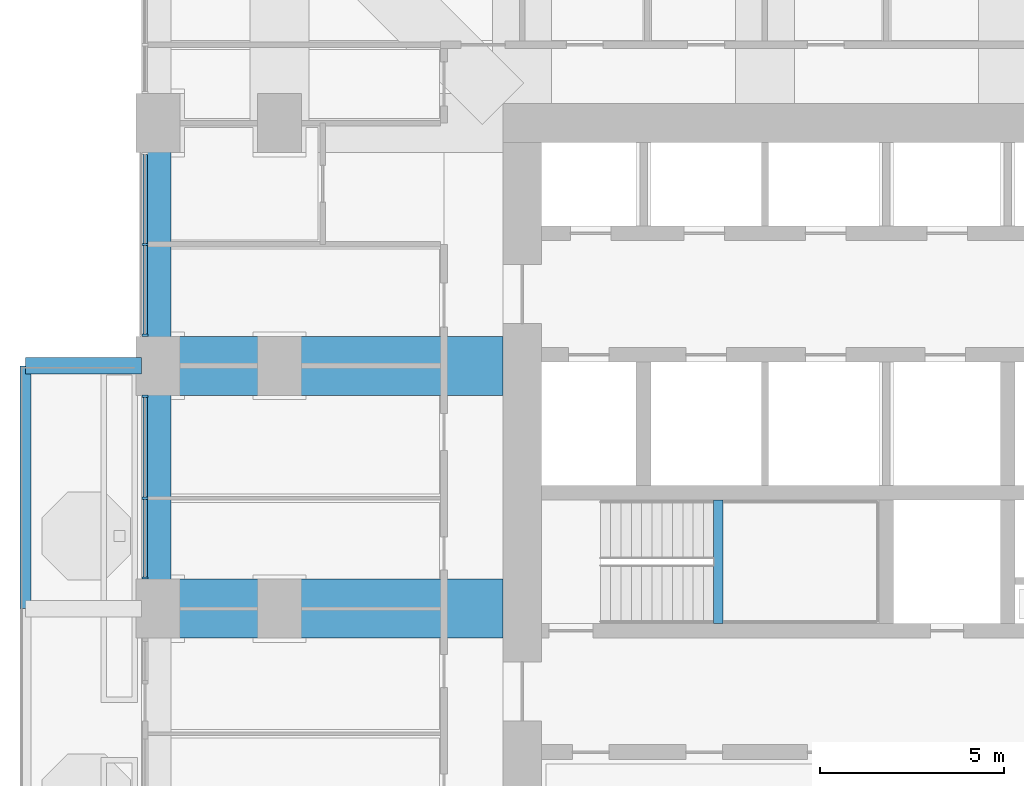
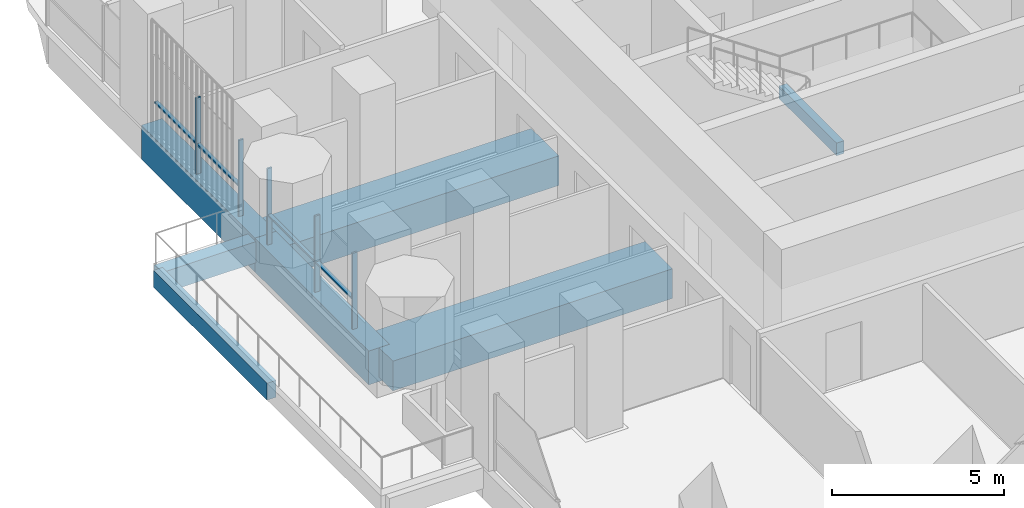
# One storey, part 4 of 20: 9 members, 7 beams, 2 elements without a shape of their own.
"""IFC4 building model written with IfcOpenShell, lengths in metres."""

from ifc_helpers import new_model, si_unit, direction, frame, origin, origin_2d, place, context, subcontext, project, spatial, rectangle, extrude, material, material_profile, profile_set, type_object, element, aggregate, save


model = new_model("IFC4")

# Units and contexts
model_context = context("Model", 3, precision=1e-05, world=origin(), true_north=direction((0.0, 1.0)))
body_context = subcontext(model_context, "Body", "Model", "MODEL_VIEW")
ifc_project = project(units=[si_unit("LENGTHUNIT", "METRE"), si_unit("AREAUNIT", "SQUARE_METRE"), si_unit("VOLUMEUNIT", "CUBIC_METRE"), si_unit("PLANEANGLEUNIT", "RADIAN"), si_unit("MASSUNIT", "GRAM", prefix="KILO")], contexts=[model_context])

# Site, building, storey
site_placement = place(None, origin())
site = spatial("IfcSite", under=ifc_project, at=site_placement, CompositionType="ELEMENT")
building_placement = place(site_placement, origin())
building = spatial("IfcBuilding", under=site, at=building_placement, Name="Cobogo Forest Laboratory Tower", CompositionType="ELEMENT")
storey_placement = place(building_placement, frame((0.0, 0.0, 201.89990234375)))
storey = spatial("IfcBuildingStorey", under=building, at=storey_placement, Name="L46", CompositionType="ELEMENT", Elevation=201.89990234375)

# Beams
ifc_material_1 = material(Name="Concrete HA-40 (C40/50)", Category="concrete")
ifc_material_profile_1 = material_profile(ifc_material_1, rectangle(XDim=0.449951171875, YDim=0.75, at=origin_2d()), Name="RC 450x750")
ifc_profile_set_1 = profile_set([ifc_material_profile_1], Name="Concrete HA-40 (C40/50)")
beam_type_1 = type_object("IfcBeamType", Name="Balcony cantilever beam 450x750", PredefinedType="BEAM", material=ifc_profile_set_1)
beam_1_placement = place(storey_placement, frame((2.85009765625, 26.39990234375, -0.625), z_axis=(-1.0, 0.0, 0.0), x_axis=(0.0, -1.0, 0.0)))
element("IfcBeam", 1, at=beam_1_placement, inside=storey, type_object=beam_type_1, Name="CB1 BAL-W1-C3 L46", PredefinedType="BEAM", context=body_context, shape_type="SweptSolid", body=[
    extrude(rectangle(XDim=0.449951171875, YDim=0.75, at=origin_2d()), origin(), (0.0, 0.0, 1.0), 3.150146484375),
])
ifc_material_profile_2 = material_profile(ifc_material_1, rectangle(XDim=0.300048828125, YDim=0.60009765625, at=origin_2d()), Name="RC 300x600")
ifc_profile_set_2 = profile_set([ifc_material_profile_2], Name="Concrete HA-40 (C40/50)")
beam_type_2 = type_object("IfcBeamType", Name="Balcony edge beam 300x600", PredefinedType="BEAM", material=ifc_profile_set_2)
beam_2_placement = place(storey_placement, frame((-0.300048828125, 19.800048828125, -0.5498046875), z_axis=(0.0, 1.0, 0.0), x_axis=(-1.0, 0.0, 0.0)))
element("IfcBeam", 2, at=beam_2_placement, inside=storey, type_object=beam_type_2, Name="BB1 BAL-W1-T2 L46", PredefinedType="BEAM", context=body_context, shape_type="SweptSolid", body=[
    extrude(rectangle(XDim=0.300048828125, YDim=0.60009765625, at=origin_2d()), origin(), (0.0, 0.0, 1.0), 6.599853515625),
])
ifc_material_profile_3 = material_profile(ifc_material_1, rectangle(XDim=0.25, YDim=0.449951171875, at=origin_2d()), Name="RC 250x450")
ifc_profile_set_3 = profile_set([ifc_material_profile_3], Name="Concrete HA-40 (C40/50)")
beam_type_3 = type_object("IfcBeamType", Name="LB1 landing beam 250x450", PredefinedType="BEAM", material=ifc_profile_set_3)
beam_3_placement = place(storey_placement, frame((18.530029296875, 19.39990234375, 1.675048828125), z_axis=(0.0, 1.0, 0.0), x_axis=(-1.0, 0.0, 0.0)))
element("IfcBeam", 3, at=beam_3_placement, inside=storey, type_object=beam_type_3, Name="Landing beam ST1 L46", PredefinedType="BEAM", context=body_context, shape_type="SweptSolid", body=[
    extrude(rectangle(XDim=0.25, YDim=0.449951171875, at=origin_2d()), origin(), (0.0, 0.0, 1.0), 3.35009765625),
])
ifc_material_2 = material(Name="Concrete HA-50 (C50/60)", Category="concrete")
ifc_material_profile_4 = material_profile(ifc_material_2, rectangle(XDim=1.60009765625, YDim=1.050048828125, at=origin_2d()), Name="RC 1600x1050")
ifc_profile_set_4 = profile_set([ifc_material_profile_4], Name="Concrete HA-50 (C50/60)")
beam_type_4 = type_object("IfcBeamType", Name="Laboratory floor wide beam 1600x1050", PredefinedType="BEAM", material=ifc_profile_set_4)
for number, where, z_axis, x_axis, name in (
    (4, (12.675048828125, 19.800048828125, -0.824951171875), (-1.0, 0.0, 0.0), (0.0, -1.0, 0.0), "RB8 R-D-W L46"),
    (5, (12.675048828125, 26.39990234375, -0.824951171875), (-1.0, 0.0, 0.0), (0.0, -1.0, 0.0), "RB8 R-E-W L46"),
):
    element("IfcBeam", number, at=place(storey_placement, frame(where, z_axis=z_axis, x_axis=x_axis)), inside=storey, type_object=beam_type_4, Name=name, PredefinedType="BEAM", context=body_context, shape_type="SweptSolid", body=[
        extrude(rectangle(XDim=1.60009765625, YDim=1.050048828125, at=origin_2d()), origin(), (0.0, 0.0, 1.0), 9.375),
    ])

# Curtain wall, members
ifc_material_3 = material(Name="Aluminium curtain wall", Category="aluminium")
curtain_wall_type = type_object("IfcCurtainWallType", Name="CW-2 unitised curtain wall, solar control glazing, laboratory floors zones C and D", PredefinedType="USERDEFINED", material=ifc_material_3)
curtain_wall_1_placement = place(storey_placement, origin())
curtain_wall_1 = element("IfcCurtainWall", 6, at=curtain_wall_1_placement, inside=storey, type_object=curtain_wall_type, Name="Curtain wall 25 L46", ObjectType="UNITISED CURTAIN WALL", PredefinedType="USERDEFINED")
ifc_material_4 = material(Name="Aluminium mullion", Category="aluminium")
ifc_material_profile_5 = material_profile(ifc_material_4, rectangle(XDim=0.06005859375, YDim=0.159912109375, at=origin_2d()), Name="AL 60x160")
ifc_profile_set_5 = profile_set([ifc_material_profile_5], Name="Aluminium mullion")
member_type_1 = type_object("IfcMemberType", Name="MU-1 aluminium mullion 60x160", PredefinedType="MULLION", material=ifc_profile_set_5)
member_1_placement = place(storey_placement, frame((2.949951171875, 29.699951171875, 0.0), z_axis=(0.0, 0.0, 1.0), x_axis=(0.0, -1.0, 0.0)))
member_1 = element("IfcMember", 7, at=member_1_placement, type_object=member_type_1, Name="CW-2 mullion 2", PredefinedType="MULLION", context=body_context, shape_type="SweptSolid", body=[
    extrude(rectangle(XDim=0.06005859375, YDim=0.159912109375, at=origin_2d()), origin(), (0.0, 0.0, 1.0), 2.7001953125),
])
member_2_placement = place(storey_placement, frame((2.949951171875, 27.22998046875, 0.0), z_axis=(0.0, 0.0, 1.0), x_axis=(0.0, -1.0, 0.0)))
member_2 = element("IfcMember", 8, at=member_2_placement, type_object=member_type_1, Name="CW-2 mullion 3", PredefinedType="MULLION", context=body_context, shape_type="SweptSolid", body=[
    extrude(rectangle(XDim=0.06005859375, YDim=0.159912109375, at=origin_2d()), origin(), (0.0, 0.0, 1.0), 2.7001953125),
])

curtain_wall_2_placement = place(storey_placement, origin())
curtain_wall_2 = element("IfcCurtainWall", 9, at=curtain_wall_2_placement, inside=storey, type_object=curtain_wall_type, Name="Curtain wall 26 L46", ObjectType="UNITISED CURTAIN WALL", PredefinedType="USERDEFINED")
member_3_placement = place(storey_placement, frame((2.949951171875, 25.570068359375, 0.0), z_axis=(0.0, 0.0, 1.0), x_axis=(0.0, -1.0, 0.0)))
member_3 = element("IfcMember", 10, at=member_3_placement, type_object=member_type_1, Name="CW-2 mullion 1", PredefinedType="MULLION", context=body_context, shape_type="SweptSolid", body=[
    extrude(rectangle(XDim=0.06005859375, YDim=0.159912109375, at=origin_2d()), origin(), (0.0, 0.0, 1.0), 2.7001953125),
])
member_4_placement = place(storey_placement, frame((2.949951171875, 22.800048828125, 0.0), z_axis=(0.0, 0.0, 1.0), x_axis=(0.0, -1.0, 0.0)))
member_4 = element("IfcMember", 11, at=member_4_placement, type_object=member_type_1, Name="CW-2 mullion 2", PredefinedType="MULLION", context=body_context, shape_type="SweptSolid", body=[
    extrude(rectangle(XDim=0.06005859375, YDim=0.159912109375, at=origin_2d()), origin(), (0.0, 0.0, 1.0), 2.7001953125),
])
member_5_placement = place(storey_placement, frame((2.949951171875, 20.6298828125, 0.0), z_axis=(0.0, 0.0, 1.0), x_axis=(0.0, -1.0, 0.0)))
member_5 = element("IfcMember", 12, at=member_5_placement, type_object=member_type_1, Name="CW-2 mullion 3", PredefinedType="MULLION", context=body_context, shape_type="SweptSolid", body=[
    extrude(rectangle(XDim=0.06005859375, YDim=0.159912109375, at=origin_2d()), origin(), (0.0, 0.0, 1.0), 2.7001953125),
])

# Beams
ifc_material_profile_6 = material_profile(ifc_material_1, rectangle(XDim=0.699951171875, YDim=1.199951171875, at=origin_2d()), Name="RC 700x1200")
ifc_profile_set_6 = profile_set([ifc_material_profile_6], Name="Concrete HA-40 (C40/50)")
beam_type_5 = type_object("IfcBeamType", Name="Perimeter edge beam 700x1200", PredefinedType="BEAM", material=ifc_profile_set_6)
beam_4_placement = place(storey_placement, frame((3.300048828125, 19.800048828125, -0.89990234375), z_axis=(0.0, 1.0, 0.0), x_axis=(-1.0, 0.0, 0.0)))
element("IfcBeam", 13, at=beam_4_placement, inside=storey, type_object=beam_type_5, Name="EB1 E-W2 L46", PredefinedType="BEAM", context=body_context, shape_type="SweptSolid", body=[
    extrude(rectangle(XDim=0.699951171875, YDim=1.199951171875, at=origin_2d()), origin(), (0.0, 0.0, 1.0), 6.599853515625),
])
beam_5_placement = place(storey_placement, frame((3.300048828125, 26.39990234375, -0.89990234375), z_axis=(0.0, 1.0, 0.0), x_axis=(-1.0, 0.0, 0.0)))
element("IfcBeam", 14, at=beam_5_placement, inside=storey, type_object=beam_type_5, Name="EB1 E-W3 L46", PredefinedType="BEAM", context=body_context, shape_type="SweptSolid", body=[
    extrude(rectangle(XDim=0.699951171875, YDim=1.199951171875, at=origin_2d()), origin(), (0.0, 0.0, 1.0), 6.60009765625),
])

# Member
ifc_material_5 = material(Name="Aluminium transom", Category="aluminium")
ifc_material_profile_7 = material_profile(ifc_material_5, rectangle(XDim=0.1201171875, YDim=0.06005859375, at=origin_2d()), Name="AL 60x120")
ifc_profile_set_7 = profile_set([ifc_material_profile_7], Name="Aluminium transom")
member_type_2 = type_object("IfcMemberType", Name="TR-1 aluminium transom 60x120", PredefinedType="USERDEFINED", material=ifc_profile_set_7)
member_6_placement = place(storey_placement, frame((2.949951171875, 32.139892578125, 1.050048828125), z_axis=(0.0, -1.0, 0.0), x_axis=(1.0, 0.0, 0.0)))
member_6 = element("IfcMember", 15, at=member_6_placement, type_object=member_type_2, Name="CW-2 transom 1.1", ObjectType="TRANSOM", PredefinedType="USERDEFINED", context=body_context, shape_type="SweptSolid", body=[
    extrude(rectangle(XDim=0.1201171875, YDim=0.06005859375, at=origin_2d()), origin(), (0.0, 0.0, 1.0), 2.409912109375),
])

member_7_placement = place(storey_placement, frame((2.949951171875, 29.669921875, 1.050048828125), z_axis=(0.0, -1.0, 0.0), x_axis=(1.0, 0.0, 0.0)))
member_7 = element("IfcMember", 16, at=member_7_placement, type_object=member_type_2, Name="CW-2 transom 2.1", ObjectType="TRANSOM", PredefinedType="USERDEFINED", context=body_context, shape_type="SweptSolid", body=[
    extrude(rectangle(XDim=0.1201171875, YDim=0.06005859375, at=origin_2d()), origin(), (0.0, 0.0, 1.0), 2.409912109375),
])

aggregate(curtain_wall_1, [member_1, member_2, member_6, member_7])

member_8_placement = place(storey_placement, frame((2.949951171875, 25.5400390625, 1.050048828125), z_axis=(0.0, -1.0, 0.0), x_axis=(1.0, 0.0, 0.0)))
member_8 = element("IfcMember", 17, at=member_8_placement, type_object=member_type_2, Name="CW-2 transom 1.1", ObjectType="TRANSOM", PredefinedType="USERDEFINED", context=body_context, shape_type="SweptSolid", body=[
    extrude(rectangle(XDim=0.1201171875, YDim=0.06005859375, at=origin_2d()), origin(), (0.0, 0.0, 1.0), 2.7099609375),
])

member_9_placement = place(storey_placement, frame((2.949951171875, 22.77001953125, 1.050048828125), z_axis=(0.0, -1.0, 0.0), x_axis=(1.0, 0.0, 0.0)))
member_9 = element("IfcMember", 18, at=member_9_placement, type_object=member_type_2, Name="CW-2 transom 2.1", ObjectType="TRANSOM", PredefinedType="USERDEFINED", context=body_context, shape_type="SweptSolid", body=[
    extrude(rectangle(XDim=0.1201171875, YDim=0.06005859375, at=origin_2d()), origin(), (0.0, 0.0, 1.0), 2.110107421875),
])

aggregate(curtain_wall_2, [member_3, member_4, member_5, member_8, member_9])

save(model, "model.ifc")
